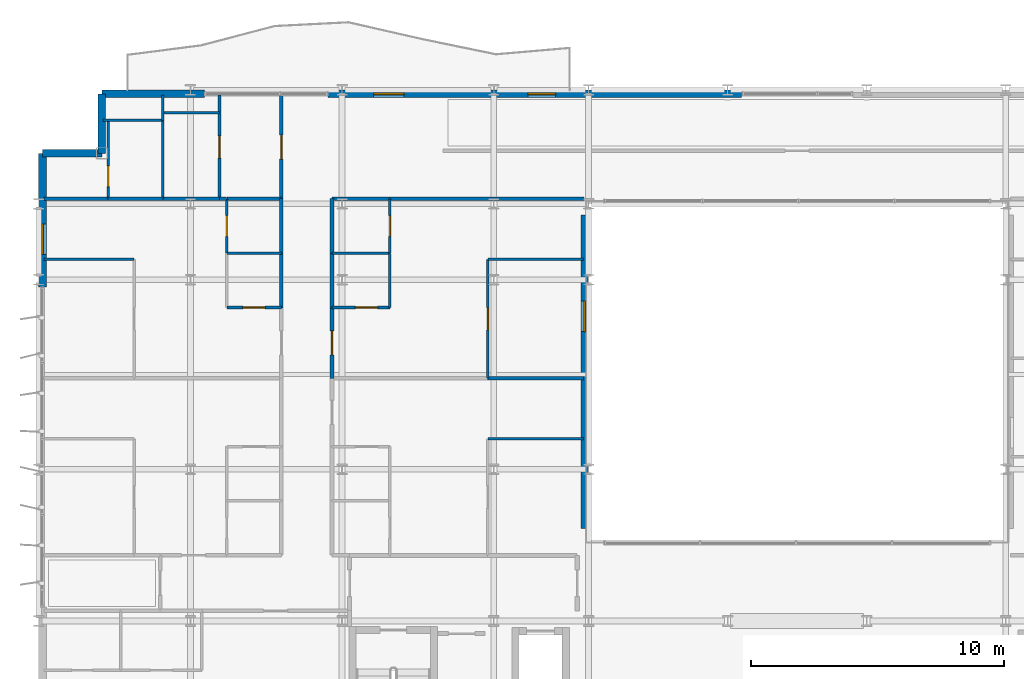
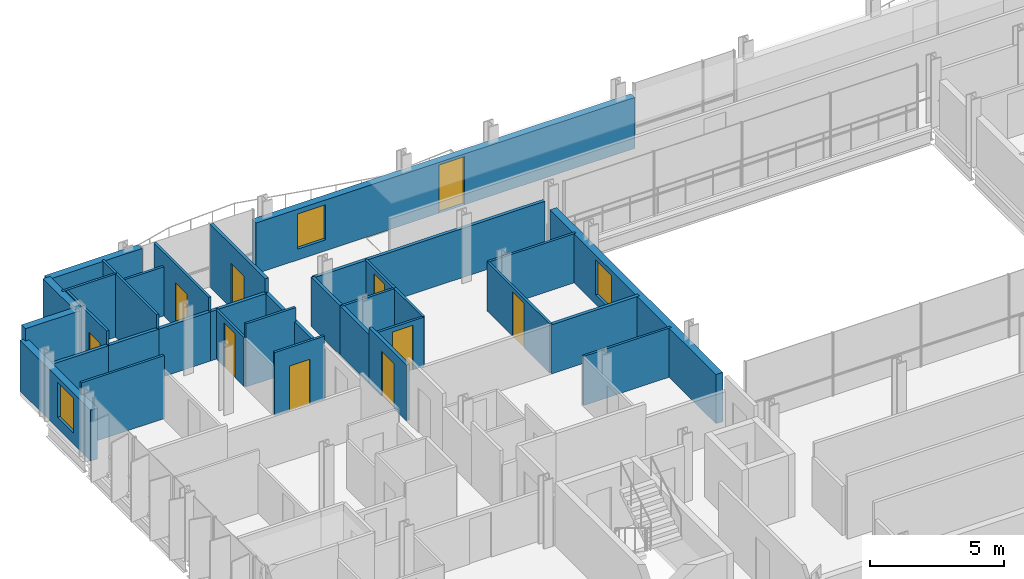
# One storey, part 29 of 39: 37 walls, 10 doors, 3 windows, 13 openings.
"""IFC4 building model written with IfcOpenShell, lengths in metres."""

from ifc_helpers import new_model, si_unit, direction, frame, frame_2d, origin, place, context, subcontext, project, spatial, rectangle, extrude, material, layer, layer_set, type_object, element, fill, save


model = new_model("IFC4")

# Units and contexts
model_context = context("Model", 3, precision=1e-05, world=origin(), true_north=direction((0.0, 1.0)))
body_context = subcontext(model_context, "Body", "Model", "MODEL_VIEW")
ifc_project = project(units=[si_unit("LENGTHUNIT", "METRE"), si_unit("AREAUNIT", "SQUARE_METRE"), si_unit("VOLUMEUNIT", "CUBIC_METRE"), si_unit("PLANEANGLEUNIT", "RADIAN"), si_unit("MASSUNIT", "GRAM", prefix="KILO")], contexts=[model_context])

# Site, building, storey
site_placement = place(None, origin())
site = spatial("IfcSite", under=ifc_project, at=site_placement, CompositionType="ELEMENT")
building_placement = place(site_placement, origin())
building = spatial("IfcBuilding", under=site, at=building_placement, Name="Brevholm Reach", CompositionType="ELEMENT")
storey_placement = place(building_placement, frame((0.0, 0.0, 115.89990234375)))
storey = spatial("IfcBuildingStorey", under=building, at=storey_placement, Name="L34", CompositionType="ELEMENT", Elevation=115.89990234375)

# Walls
ifc_material_1 = material(Name="Concrete C40/50", Category="concrete")
ifc_layer_1 = layer(ifc_material_1, 0.300048828125)
ifc_layer_set_1 = layer_set([ifc_layer_1], Name="Concrete C40/50")
wall_type_1 = type_object("IfcWallType", Name="WAL-EXT-300", PredefinedType="STANDARD", material=ifc_layer_set_1)
for number, where, z_axis, x_axis, name in (
    (1, (2.5, 30.85009765625, 0.0), (0.0, 0.0, 1.0), (0.0, -1.0, 0.0), "L34 Facade Wall WAL-L34-CNW1"),
    (2, (2.5, 28.5, 0.0), (0.0, 0.0, 1.0), (-1.0, 0.0, 0.0), "L34 Facade Wall WAL-L34-CNW2"),
):
    element("IfcWall", number, at=place(storey_placement, frame(where, z_axis=z_axis, x_axis=x_axis)), inside=storey, type_object=wall_type_1, Name=name, PredefinedType="STANDARD", context=body_context, shape_type="SweptSolid", body=[
        extrude(rectangle(XDim=2.35009765625, YDim=0.300048828125, at=frame_2d((1.175048828125, 0.0))), origin(), (0.0, 0.0, 1.0), 2.880126953125),
    ])

# Wall, opening, window
wall_1_placement = place(storey_placement, frame((0.14990234375, 28.5, 0.0), z_axis=(0.0, 0.0, 1.0), x_axis=(0.0, -1.0, 0.0)))
wall_1 = element("IfcWall", 3, at=wall_1_placement, inside=storey, type_object=wall_type_1, Name="L34 Facade Wall WAL-L34-W-N", PredefinedType="STANDARD", context=body_context, shape_type="SweptSolid", body=[
    extrude(rectangle(XDim=5.280029296875, YDim=0.300048828125, at=frame_2d((2.64013671875, 0.0))), origin(), (0.0, 0.0, 1.0), 2.322021484375),
])
opening_1_placement = place(wall_1_placement, frame((2.800048828125, 0.0, 0.501953125)))
opening_1 = element("IfcOpeningElement", 4, at=opening_1_placement, cuts=wall_1, Name="Opening WN-08", PredefinedType="OPENING", context=body_context, shape_type="SweptSolid", body=[
    extrude(rectangle(XDim=1.199951171875, YDim=1.60009765625, at=frame_2d((0.60009765625, 0.800048828125))), frame((0.0, 0.159912109375, 0.0), z_axis=(0.0, -1.0, 0.0), x_axis=(1.0, 0.0, 0.0)), (0.0, 0.0, 1.0), 0.320068359375),
])
ifc_material_2 = material(Name="Dark Anodised Aluminium and Solar-Control IGU Glass", Category="aluminium")
window_type = type_object("IfcWindowType", Name="WIN-RES-1200", PartitioningType="SINGLE_PANEL", PredefinedType="WINDOW", material=ifc_material_2)
window_1_placement = place(opening_1_placement, origin())
window_1 = element("IfcWindow", 5, at=window_1_placement, inside=storey, type_object=window_type, Name="L34 Window WIN-L34-WN-1", OverallHeight=1.60009765625, OverallWidth=1.199951171875, PartitioningType="SINGLE_PANEL", PredefinedType="WINDOW", context=body_context, shape_type="SweptSolid", body=[
    extrude(rectangle(XDim=1.199951171875, YDim=1.60009765625, at=frame_2d((0.60009765625, 0.800048828125))), frame((0.0, 0.030029296875, 0.0), z_axis=(0.0, -1.0, 0.0), x_axis=(1.0, 0.0, 0.0)), (0.0, 0.0, 1.0), 0.06005859375),
])
fill(opening_1, window_1)

# Wall
wall_2_placement = place(storey_placement, frame((2.5, 30.85009765625, 0.0), z_axis=(0.0, 0.0, 1.0), x_axis=(1.0, 0.0, 0.0)))
element("IfcWall", 6, at=wall_2_placement, inside=storey, type_object=wall_type_1, Name="L34 Facade Wall WAL-L34-NP-W0", PredefinedType="STANDARD", context=body_context, shape_type="SweptSolid", body=[
    extrude(rectangle(XDim=4.050048828125, YDim=0.300048828125, at=frame_2d((2.02490234375, 0.0))), origin(), (0.0, 0.0, 1.0), 2.880126953125),
])

# Wall, openings, door, window
wall_3_placement = place(storey_placement, frame((11.449951171875, 30.85009765625, 0.0), z_axis=(0.0, 0.0, 1.0), x_axis=(1.0, 0.0, 0.0)))
wall_3 = element("IfcWall", 7, at=wall_3_placement, inside=storey, type_object=wall_type_1, Name="L34 Facade Wall WAL-L34-NP-WL", PredefinedType="STANDARD", context=body_context, shape_type="SweptSolid", body=[
    extrude(rectangle(XDim=16.35009765625, YDim=0.300048828125, at=frame_2d((8.175048828125, 0.0))), origin(), (0.0, 0.0, 1.0), 2.322021484375),
])
opening_2_placement = place(wall_3_placement, frame((7.89794921875, 0.0, 0.0)))
opening_2 = element("IfcOpeningElement", 8, at=opening_2_placement, cuts=wall_3, Name="Opening BD-01", PredefinedType="OPENING", context=body_context, shape_type="SweptSolid", body=[
    extrude(rectangle(XDim=1.10009765625, YDim=2.199951171875, at=frame_2d((0.550048828125, 1.10009765625))), frame((0.0, 0.159912109375, 0.0), z_axis=(0.0, -1.0, 0.0), x_axis=(1.0, 0.0, 0.0)), (0.0, 0.0, 1.0), 0.320068359375),
])
opening_3_placement = place(wall_3_placement, frame((1.800048828125, 0.0, 0.501953125)))
opening_3 = element("IfcOpeningElement", 9, at=opening_3_placement, cuts=wall_3, Name="Opening WN-08", PredefinedType="OPENING", context=body_context, shape_type="SweptSolid", body=[
    extrude(rectangle(XDim=1.199951171875, YDim=1.60009765625, at=frame_2d((0.60009765625, 0.800048828125))), frame((0.0, 0.159912109375, 0.0), z_axis=(0.0, -1.0, 0.0), x_axis=(1.0, 0.0, 0.0)), (0.0, 0.0, 1.0), 0.320068359375),
])
ifc_material_3 = material(Name="Dark Anodised Aluminium and Triple-Glazed Glass", Category="aluminium")
door_type_1 = type_object("IfcDoorType", Name="DOR-BALC-1100", OperationType="NOTDEFINED", PredefinedType="DOOR", material=ifc_material_3)
door_1_placement = place(opening_2_placement, origin())
door_1 = element("IfcDoor", 10, at=door_1_placement, inside=storey, type_object=door_type_1, Name="L34 Exterior Door DOR-L34-BL-NW", OperationType="SINGLE_SWING_RIGHT", OverallHeight=2.199951171875, OverallWidth=1.10009765625, PredefinedType="DOOR", context=body_context, shape_type="SweptSolid", body=[
    extrude(rectangle(XDim=1.10009765625, YDim=2.199951171875, at=frame_2d((0.550048828125, 1.10009765625))), frame((0.0, 0.02490234375, 0.0), z_axis=(0.0, -1.0, 0.0), x_axis=(1.0, 0.0, 0.0)), (0.0, 0.0, 1.0), 0.050048828125),
])
fill(opening_2, door_1)
window_2_placement = place(opening_3_placement, origin())
window_2 = element("IfcWindow", 11, at=window_2_placement, inside=storey, type_object=window_type, Name="L34 Window WIN-L34-NP-WL1", OverallHeight=1.60009765625, OverallWidth=1.199951171875, PartitioningType="SINGLE_PANEL", PredefinedType="WINDOW", context=body_context, shape_type="SweptSolid", body=[
    extrude(rectangle(XDim=1.199951171875, YDim=1.60009765625, at=frame_2d((0.60009765625, 0.800048828125))), frame((0.0, 0.030029296875, 0.0), z_axis=(0.0, -1.0, 0.0), x_axis=(1.0, 0.0, 0.0)), (0.0, 0.0, 1.0), 0.06005859375),
])
fill(opening_3, window_2)

# Wall, opening, window
wall_4_placement = place(storey_placement, frame((21.60009765625, 26.050048828125, 0.0), z_axis=(0.0, 0.0, 1.0), x_axis=(0.0, -1.0, 0.0)))
wall_4 = element("IfcWall", 12, at=wall_4_placement, inside=storey, type_object=wall_type_1, Name="L34 Facade Wall WAL-L34-AT-W", PredefinedType="STANDARD", context=body_context, shape_type="SweptSolid", body=[
    extrude(rectangle(XDim=12.400146484375, YDim=0.300048828125, at=frame_2d((6.2001953125, 0.0))), origin(), (0.0, 0.0, 1.0), 2.242919921875),
])
opening_4_placement = place(wall_4_placement, frame((3.39990234375, 0.0, 0.423095703125)))
opening_4 = element("IfcOpeningElement", 13, at=opening_4_placement, cuts=wall_4, Name="Opening WN-08", PredefinedType="OPENING", context=body_context, shape_type="SweptSolid", body=[
    extrude(rectangle(XDim=1.199951171875, YDim=1.60009765625, at=frame_2d((0.60009765625, 0.800048828125))), frame((0.0, 0.159912109375, 0.0), z_axis=(0.0, -1.0, 0.0), x_axis=(1.0, 0.0, 0.0)), (0.0, 0.0, 1.0), 0.320068359375),
])
window_3_placement = place(opening_4_placement, origin())
window_3 = element("IfcWindow", 14, at=window_3_placement, inside=storey, type_object=window_type, Name="L34 Window WIN-L34-AT-W1", OverallHeight=1.60009765625, OverallWidth=1.199951171875, PartitioningType="SINGLE_PANEL", PredefinedType="WINDOW", context=body_context, shape_type="SweptSolid", body=[
    extrude(rectangle(XDim=1.199951171875, YDim=1.60009765625, at=frame_2d((0.60009765625, 0.800048828125))), frame((0.0, 0.030029296875, 0.0), z_axis=(0.0, -1.0, 0.0), x_axis=(1.0, 0.0, 0.0)), (0.0, 0.0, 1.0), 0.06005859375),
])
fill(opening_4, window_3)

# Wall
ifc_material_4 = material(Name="Moisture-Resistant Acoustic Gypsum Stud Partition 100 mm", Category="gypsum")
ifc_layer_2 = layer(ifc_material_4, 0.10009765625)
ifc_layer_set_2 = layer_set([ifc_layer_2], Name="Moisture-Resistant Acoustic Gypsum Stud Partition 100 mm")
wall_type_2 = type_object("IfcWallType", Name="WAL-PRT-100", PredefinedType="PARTITIONING", material=ifc_layer_set_2)
wall_5_placement = place(storey_placement, frame((7.43798828125, 24.550048828125, 0.0), z_axis=(0.0, 0.0, 1.0), x_axis=(1.0, 0.0, 0.0)))
element("IfcWall", 15, at=wall_5_placement, inside=storey, type_object=wall_type_2, Name="L34 Internal Partition 095", PredefinedType="PARTITIONING", context=body_context, shape_type="SweptSolid", body=[
    extrude(rectangle(XDim=2.157958984375, YDim=0.10009765625, at=frame_2d((1.0791015625, 0.0))), origin(), (0.0, 0.0, 1.0), 2.880126953125),
])

# Wall, opening, door
wall_6_placement = place(storey_placement, frame((7.43798828125, 24.550048828125, 0.0), z_axis=(0.0, 0.0, 1.0), x_axis=(0.0, 1.0, 0.0)))
wall_6 = element("IfcWall", 16, at=wall_6_placement, inside=storey, type_object=wall_type_2, Name="L34 Internal Partition 096", PredefinedType="PARTITIONING", context=body_context, shape_type="SweptSolid", body=[
    extrude(rectangle(XDim=2.14990234375, YDim=0.10009765625, at=frame_2d((1.074951171875, 0.0))), origin(), (0.0, 0.0, 1.0), 2.242919921875),
])
opening_5_placement = place(wall_6_placement, frame((0.6650390625, 0.0, 0.0)))
opening_5 = element("IfcOpeningElement", 17, at=opening_5_placement, cuts=wall_6, Name="Opening ID-03", PredefinedType="OPENING", context=body_context, shape_type="SweptSolid", body=[
    extrude(rectangle(XDim=0.820068359375, YDim=2.02001953125, at=frame_2d((0.41015625, 1.010009765625))), frame((0.0, 0.06005859375, 0.0), z_axis=(0.0, -1.0, 0.0), x_axis=(1.0, 0.0, 0.0)), (0.0, 0.0, 1.0), 0.1201171875),
])
ifc_material_5 = material(Name="Moisture-Resistant Painted Timber Internal Bathroom Door", Category="wood")
door_type_2 = type_object("IfcDoorType", Name="DOR-BATH-820", OperationType="NOTDEFINED", PredefinedType="DOOR", material=ifc_material_5)
door_2_placement = place(opening_5_placement, origin())
door_2 = element("IfcDoor", 18, at=door_2_placement, inside=storey, type_object=door_type_2, Name="L34 Internal Door 035", OperationType="SINGLE_SWING_LEFT", OverallHeight=2.02001953125, OverallWidth=0.820068359375, PredefinedType="DOOR", context=body_context, shape_type="SweptSolid", body=[
    extrude(rectangle(XDim=0.820068359375, YDim=2.02001953125, at=frame_2d((0.41015625, 1.010009765625))), frame((0.0, 0.02490234375, 0.0), z_axis=(0.0, -1.0, 0.0), x_axis=(1.0, 0.0, 0.0)), (0.0, 0.0, 1.0), 0.050048828125),
])
fill(opening_5, door_2)

wall_7_placement = place(storey_placement, frame((7.43798828125, 22.39990234375, 0.0), z_axis=(0.0, 0.0, 1.0), x_axis=(1.0, 0.0, 0.0)))
wall_7 = element("IfcWall", 19, at=wall_7_placement, inside=storey, type_object=wall_type_2, Name="L34 Internal Partition 098", PredefinedType="PARTITIONING", context=body_context, shape_type="SweptSolid", body=[
    extrude(rectangle(XDim=2.157958984375, YDim=0.10009765625, at=frame_2d((1.0791015625, 0.0))), origin(), (0.0, 0.0, 1.0), 2.880126953125),
])
opening_6_placement = place(wall_7_placement, frame((0.638916015625, 0.0, 0.0)))
opening_6 = element("IfcOpeningElement", 20, at=opening_6_placement, cuts=wall_7, Name="Opening ID-01", PredefinedType="OPENING", context=body_context, shape_type="SweptSolid", body=[
    extrude(rectangle(XDim=0.8798828125, YDim=2.0400390625, at=frame_2d((0.43994140625, 1.02001953125))), frame((0.0, 0.06005859375, 0.0), z_axis=(0.0, -1.0, 0.0), x_axis=(1.0, 0.0, 0.0)), (0.0, 0.0, 1.0), 0.1201171875),
])
ifc_material_6 = material(Name="Lacquered Ash Solid-Core Acoustic Internal Door", Category="timber")
door_type_3 = type_object("IfcDoorType", Name="DOR-INT-880", OperationType="NOTDEFINED", PredefinedType="DOOR", material=ifc_material_6)
door_3_placement = place(opening_6_placement, origin())
door_3 = element("IfcDoor", 21, at=door_3_placement, inside=storey, type_object=door_type_3, Name="L34 Internal Door 036", OperationType="SINGLE_SWING_RIGHT", OverallHeight=2.0400390625, OverallWidth=0.8798828125, PredefinedType="DOOR", context=body_context, shape_type="SweptSolid", body=[
    extrude(rectangle(XDim=0.8798828125, YDim=2.0400390625, at=frame_2d((0.43994140625, 1.02001953125))), frame((0.0, 0.02490234375, 0.0), z_axis=(0.0, -1.0, 0.0), x_axis=(1.0, 0.0, 0.0)), (0.0, 0.0, 1.0), 0.050048828125),
])
fill(opening_6, door_3)

# Walls
wall_8_placement = place(storey_placement, frame((0.199951171875, 24.300048828125, 0.0), z_axis=(0.0, 0.0, 1.0), x_axis=(1.0, 0.0, 0.0)))
element("IfcWall", 22, at=wall_8_placement, inside=storey, type_object=wall_type_2, Name="L34 Internal Partition 101", PredefinedType="PARTITIONING", context=body_context, shape_type="SweptSolid", body=[
    extrude(rectangle(XDim=3.572021484375, YDim=0.10009765625, at=frame_2d((1.7861328125, 0.0))), origin(), (0.0, 0.0, 1.0), 2.880126953125),
])
wall_9_placement = place(storey_placement, frame((17.76904296875, 17.199951171875, 0.0), z_axis=(0.0, 0.0, 1.0), x_axis=(1.0, 0.0, 0.0)))
element("IfcWall", 23, at=wall_9_placement, inside=storey, type_object=wall_type_2, Name="L34 Internal Partition 110", PredefinedType="PARTITIONING", context=body_context, shape_type="SweptSolid", body=[
    extrude(rectangle(XDim=3.781005859375, YDim=0.10009765625, at=frame_2d((1.890625, 0.0))), origin(), (0.0, 0.0, 1.0), 2.242919921875),
])
wall_10_placement = place(storey_placement, frame((11.60400390625, 24.550048828125, 0.0), z_axis=(0.0, 0.0, 1.0), x_axis=(1.0, 0.0, 0.0)))
element("IfcWall", 24, at=wall_10_placement, inside=storey, type_object=wall_type_2, Name="L34 Internal Partition 114", PredefinedType="PARTITIONING", context=body_context, shape_type="SweptSolid", body=[
    extrude(rectangle(XDim=2.284912109375, YDim=0.10009765625, at=frame_2d((1.142578125, 0.0))), origin(), (0.0, 0.0, 1.0), 2.242919921875),
])

# Wall, opening, door
wall_11_placement = place(storey_placement, frame((13.888916015625, 24.550048828125, 0.0), z_axis=(0.0, 0.0, 1.0), x_axis=(0.0, 1.0, 0.0)))
wall_11 = element("IfcWall", 25, at=wall_11_placement, inside=storey, type_object=wall_type_2, Name="L34 Internal Partition 115", PredefinedType="PARTITIONING", context=body_context, shape_type="SweptSolid", body=[
    extrude(rectangle(XDim=2.14599609375, YDim=0.10009765625, at=frame_2d((1.072998046875, 0.0))), origin(), (0.0, 0.0, 1.0), 2.242919921875),
])
opening_7_placement = place(wall_11_placement, frame((0.6630859375, 0.0, 0.0)))
opening_7 = element("IfcOpeningElement", 26, at=opening_7_placement, cuts=wall_11, Name="Opening ID-03", PredefinedType="OPENING", context=body_context, shape_type="SweptSolid", body=[
    extrude(rectangle(XDim=0.820068359375, YDim=2.02001953125, at=frame_2d((0.41015625, 1.010009765625))), frame((0.0, 0.06005859375, 0.0), z_axis=(0.0, -1.0, 0.0), x_axis=(1.0, 0.0, 0.0)), (0.0, 0.0, 1.0), 0.1201171875),
])
door_4_placement = place(opening_7_placement, origin())
door_4 = element("IfcDoor", 27, at=door_4_placement, inside=storey, type_object=door_type_2, Name="L34 Internal Door 041", OperationType="SINGLE_SWING_LEFT", OverallHeight=2.02001953125, OverallWidth=0.820068359375, PredefinedType="DOOR", context=body_context, shape_type="SweptSolid", body=[
    extrude(rectangle(XDim=0.820068359375, YDim=2.02001953125, at=frame_2d((0.41015625, 1.010009765625))), frame((0.0, 0.02490234375, 0.0), z_axis=(0.0, -1.0, 0.0), x_axis=(1.0, 0.0, 0.0)), (0.0, 0.0, 1.0), 0.050048828125),
])
fill(opening_7, door_4)

wall_12_placement = place(storey_placement, frame((11.60400390625, 22.39990234375, 0.0), z_axis=(0.0, 0.0, 1.0), x_axis=(1.0, 0.0, 0.0)))
wall_12 = element("IfcWall", 28, at=wall_12_placement, inside=storey, type_object=wall_type_2, Name="L34 Internal Partition 116", PredefinedType="PARTITIONING", context=body_context, shape_type="SweptSolid", body=[
    extrude(rectangle(XDim=2.284912109375, YDim=0.10009765625, at=frame_2d((1.142578125, 0.0))), origin(), (0.0, 0.0, 1.0), 2.242919921875),
])
opening_8_placement = place(wall_12_placement, frame((0.922607421875, 0.0, 0.0)))
opening_8 = element("IfcOpeningElement", 29, at=opening_8_placement, cuts=wall_12, Name="Opening ID-01", PredefinedType="OPENING", context=body_context, shape_type="SweptSolid", body=[
    extrude(rectangle(XDim=0.8798828125, YDim=2.0400390625, at=frame_2d((0.43994140625, 1.02001953125))), frame((0.0, 0.06005859375, 0.0), z_axis=(0.0, -1.0, 0.0), x_axis=(1.0, 0.0, 0.0)), (0.0, 0.0, 1.0), 0.1201171875),
])
door_5_placement = place(opening_8_placement, origin())
door_5 = element("IfcDoor", 30, at=door_5_placement, inside=storey, type_object=door_type_3, Name="L34 Internal Door 042", OperationType="SINGLE_SWING_RIGHT", OverallHeight=2.0400390625, OverallWidth=0.8798828125, PredefinedType="DOOR", context=body_context, shape_type="SweptSolid", body=[
    extrude(rectangle(XDim=0.8798828125, YDim=2.0400390625, at=frame_2d((0.43994140625, 1.02001953125))), frame((0.0, 0.02490234375, 0.0), z_axis=(0.0, -1.0, 0.0), x_axis=(1.0, 0.0, 0.0)), (0.0, 0.0, 1.0), 0.050048828125),
])
fill(opening_8, door_5)

# Walls
wall_13_placement = place(storey_placement, frame((13.888916015625, 22.39990234375, 0.0), z_axis=(0.0, 0.0, 1.0), x_axis=(0.0, 1.0, 0.0)))
element("IfcWall", 31, at=wall_13_placement, inside=storey, type_object=wall_type_2, Name="L34 Internal Partition 117", PredefinedType="PARTITIONING", context=body_context, shape_type="SweptSolid", body=[
    extrude(rectangle(XDim=2.14599609375, YDim=0.10009765625, at=frame_2d((1.072998046875, 0.0))), origin(), (0.0, 0.0, 1.0), 2.242919921875),
])
wall_14_placement = place(storey_placement, frame((17.76904296875, 24.300048828125, 0.0), z_axis=(0.0, 0.0, 1.0), x_axis=(1.0, 0.0, 0.0)))
element("IfcWall", 32, at=wall_14_placement, inside=storey, type_object=wall_type_2, Name="L34 Internal Partition 118", PredefinedType="PARTITIONING", context=body_context, shape_type="SweptSolid", body=[
    extrude(rectangle(XDim=3.781005859375, YDim=0.10009765625, at=frame_2d((1.890625, 0.0))), origin(), (0.0, 0.0, 1.0), 2.242919921875),
])

# Wall, opening, door
wall_15_placement = place(storey_placement, frame((17.76904296875, 19.60400390625, 0.0), z_axis=(0.0, 0.0, 1.0), x_axis=(0.0, 1.0, 0.0)))
wall_15 = element("IfcWall", 33, at=wall_15_placement, inside=storey, type_object=wall_type_2, Name="L34 Internal Partition 119", PredefinedType="PARTITIONING", context=body_context, shape_type="SweptSolid", body=[
    extrude(rectangle(XDim=4.696044921875, YDim=0.10009765625, at=frame_2d((2.34814453125, 0.0))), origin(), (0.0, 0.0, 1.0), 2.242919921875),
])
opening_9_placement = place(wall_15_placement, frame((1.907958984375, 0.0, 0.0)))
opening_9 = element("IfcOpeningElement", 34, at=opening_9_placement, cuts=wall_15, Name="Opening ID-01", PredefinedType="OPENING", context=body_context, shape_type="SweptSolid", body=[
    extrude(rectangle(XDim=0.8798828125, YDim=2.0400390625, at=frame_2d((0.43994140625, 1.02001953125))), frame((0.0, 0.06005859375, 0.0), z_axis=(0.0, -1.0, 0.0), x_axis=(1.0, 0.0, 0.0)), (0.0, 0.0, 1.0), 0.1201171875),
])
door_6_placement = place(opening_9_placement, origin())
door_6 = element("IfcDoor", 35, at=door_6_placement, inside=storey, type_object=door_type_3, Name="L34 Internal Door 043", OperationType="SINGLE_SWING_LEFT", OverallHeight=2.0400390625, OverallWidth=0.8798828125, PredefinedType="DOOR", context=body_context, shape_type="SweptSolid", body=[
    extrude(rectangle(XDim=0.8798828125, YDim=2.0400390625, at=frame_2d((0.43994140625, 1.02001953125))), frame((0.0, 0.02490234375, 0.0), z_axis=(0.0, -1.0, 0.0), x_axis=(1.0, 0.0, 0.0)), (0.0, 0.0, 1.0), 0.050048828125),
])
fill(opening_9, door_6)

# Walls
wall_16_placement = place(storey_placement, frame((4.89990234375, 26.7041015625, 0.0), z_axis=(0.0, 0.0, 1.0), x_axis=(0.0, 1.0, 0.0)))
element("IfcWall", 36, at=wall_16_placement, inside=storey, type_object=wall_type_2, Name="L34 Internal Partition 151", PredefinedType="PARTITIONING", context=body_context, shape_type="SweptSolid", body=[
    extrude(rectangle(XDim=3.095947265625, YDim=0.10009765625, at=frame_2d((1.5478515625, 0.0))), origin(), (0.0, 0.0, 1.0), 2.880126953125),
])
wall_17_placement = place(storey_placement, frame((2.550048828125, 29.800048828125, 0.0), z_axis=(0.0, 0.0, 1.0), x_axis=(1.0, 0.0, 0.0)))
element("IfcWall", 37, at=wall_17_placement, inside=storey, type_object=wall_type_2, Name="L34 Internal Partition 152", PredefinedType="PARTITIONING", context=body_context, shape_type="SweptSolid", body=[
    extrude(rectangle(XDim=2.349853515625, YDim=0.10009765625, at=frame_2d((1.1748046875, 0.0))), origin(), (0.0, 0.0, 1.0), 2.880126953125),
])

# Wall, opening, door
wall_18_placement = place(storey_placement, frame((2.75, 26.7041015625, 0.0), z_axis=(0.0, 0.0, 1.0), x_axis=(0.0, 1.0, 0.0)))
wall_18 = element("IfcWall", 38, at=wall_18_placement, inside=storey, type_object=wall_type_2, Name="L34 Internal Partition 153", PredefinedType="PARTITIONING", context=body_context, shape_type="SweptSolid", body=[
    extrude(rectangle(XDim=3.095947265625, YDim=0.10009765625, at=frame_2d((1.5478515625, 0.0))), origin(), (0.0, 0.0, 1.0), 2.880126953125),
])
opening_10_placement = place(wall_18_placement, frame((0.47802734375, 0.0, 0.0)))
opening_10 = element("IfcOpeningElement", 39, at=opening_10_placement, cuts=wall_18, Name="Opening ID-03", PredefinedType="OPENING", context=body_context, shape_type="SweptSolid", body=[
    extrude(rectangle(XDim=0.820068359375, YDim=2.02001953125, at=frame_2d((0.41015625, 1.010009765625))), frame((0.0, 0.06005859375, 0.0), z_axis=(0.0, -1.0, 0.0), x_axis=(1.0, 0.0, 0.0)), (0.0, 0.0, 1.0), 0.1201171875),
])
door_7_placement = place(opening_10_placement, origin())
door_7 = element("IfcDoor", 40, at=door_7_placement, inside=storey, type_object=door_type_2, Name="L34 Internal Door 056", OperationType="SINGLE_SWING_RIGHT", OverallHeight=2.02001953125, OverallWidth=0.820068359375, PredefinedType="DOOR", context=body_context, shape_type="SweptSolid", body=[
    extrude(rectangle(XDim=0.820068359375, YDim=2.02001953125, at=frame_2d((0.41015625, 1.010009765625))), frame((0.0, 0.02490234375, 0.0), z_axis=(0.0, -1.0, 0.0), x_axis=(1.0, 0.0, 0.0)), (0.0, 0.0, 1.0), 0.050048828125),
])
fill(opening_10, door_7)

wall_19_placement = place(storey_placement, frame((7.14990234375, 26.7041015625, 0.0), z_axis=(0.0, 0.0, 1.0), x_axis=(0.0, 1.0, 0.0)))
wall_19 = element("IfcWall", 41, at=wall_19_placement, inside=storey, type_object=wall_type_2, Name="L34 Internal Partition 154", PredefinedType="PARTITIONING", context=body_context, shape_type="SweptSolid", body=[
    extrude(rectangle(XDim=4.095947265625, YDim=0.10009765625, at=frame_2d((2.0478515625, 0.0))), origin(), (0.0, 0.0, 1.0), 2.880126953125),
])
opening_11_placement = place(wall_19_placement, frame((1.60791015625, 0.0, 0.0)))
opening_11 = element("IfcOpeningElement", 42, at=opening_11_placement, cuts=wall_19, Name="Opening ID-01", PredefinedType="OPENING", context=body_context, shape_type="SweptSolid", body=[
    extrude(rectangle(XDim=0.8798828125, YDim=2.0400390625, at=frame_2d((0.43994140625, 1.02001953125))), frame((0.0, 0.06005859375, 0.0), z_axis=(0.0, -1.0, 0.0), x_axis=(1.0, 0.0, 0.0)), (0.0, 0.0, 1.0), 0.1201171875),
])
door_8_placement = place(opening_11_placement, origin())
door_8 = element("IfcDoor", 43, at=door_8_placement, inside=storey, type_object=door_type_3, Name="L34 Internal Door 057", OperationType="SINGLE_SWING_LEFT", OverallHeight=2.0400390625, OverallWidth=0.8798828125, PredefinedType="DOOR", context=body_context, shape_type="SweptSolid", body=[
    extrude(rectangle(XDim=0.8798828125, YDim=2.0400390625, at=frame_2d((0.43994140625, 1.02001953125))), frame((0.0, 0.02490234375, 0.0), z_axis=(0.0, -1.0, 0.0), x_axis=(1.0, 0.0, 0.0)), (0.0, 0.0, 1.0), 0.050048828125),
])
fill(opening_11, door_8)

# Walls
wall_20_placement = place(storey_placement, frame((4.89990234375, 30.10009765625, 0.0), z_axis=(0.0, 0.0, 1.0), x_axis=(1.0, 0.0, 0.0)))
element("IfcWall", 44, at=wall_20_placement, inside=storey, type_object=wall_type_2, Name="L34 Internal Partition 155", PredefinedType="PARTITIONING", context=body_context, shape_type="SweptSolid", body=[
    extrude(rectangle(XDim=2.25, YDim=0.10009765625, at=frame_2d((1.125, 0.0))), origin(), (0.0, 0.0, 1.0), 2.242919921875),
])
wall_21_placement = place(storey_placement, frame((4.89990234375, 29.803955078125, 0.0), z_axis=(0.0, 0.0, 1.0), x_axis=(0.0, 1.0, 0.0)))
element("IfcWall", 45, at=wall_21_placement, inside=storey, type_object=wall_type_2, Name="L34 Internal Partition 156", PredefinedType="PARTITIONING", context=body_context, shape_type="SweptSolid", body=[
    extrude(rectangle(XDim=0.99609375, YDim=0.10009765625, at=frame_2d((0.498046875, 0.0))), origin(), (0.0, 0.0, 1.0), 2.880126953125),
])
ifc_material_7 = material(Name="Twin-Stud Acoustic Fire-Rated Gypsum Partition 140 mm", Category="gypsum")
ifc_layer_3 = layer(ifc_material_7, 0.139892578125)
ifc_layer_set_3 = layer_set([ifc_layer_3], Name="Twin-Stud Acoustic Fire-Rated Gypsum Partition 140 mm")
wall_type_3 = type_object("IfcWallType", Name="WAL-PRT-140", PredefinedType="PARTITIONING", material=ifc_layer_set_3)
wall_22_placement = place(storey_placement, frame((9.60009765625, 24.538818359375, 0.0), z_axis=(0.0, 0.0, 1.0), x_axis=(0.0, 1.0, 0.0)))
element("IfcWall", 46, at=wall_22_placement, inside=storey, type_object=wall_type_3, Name="L34 Internal Partition 036", PredefinedType="PARTITIONING", context=body_context, shape_type="SweptSolid", body=[
    extrude(rectangle(XDim=2.17236328125, YDim=0.139892578125, at=frame_2d((1.086181640625, 0.0))), origin(), (0.0, 0.0, 1.0), 2.242919921875),
])
wall_23_placement = place(storey_placement, frame((9.60009765625, 22.388671875, 0.0), z_axis=(0.0, 0.0, 1.0), x_axis=(0.0, 1.0, 0.0)))
element("IfcWall", 47, at=wall_23_placement, inside=storey, type_object=wall_type_3, Name="L34 Internal Partition 037", PredefinedType="PARTITIONING", context=body_context, shape_type="SweptSolid", body=[
    extrude(rectangle(XDim=2.168701171875, YDim=0.139892578125, at=frame_2d((1.08447265625, 0.0))), origin(), (0.0, 0.0, 1.0), 2.242919921875),
])
wall_24_placement = place(storey_placement, frame((11.60009765625, 24.538818359375, 0.0), z_axis=(0.0, 0.0, 1.0), x_axis=(0.0, 1.0, 0.0)))
element("IfcWall", 48, at=wall_24_placement, inside=storey, type_object=wall_type_3, Name="L34 Internal Partition 042", PredefinedType="PARTITIONING", context=body_context, shape_type="SweptSolid", body=[
    extrude(rectangle(XDim=2.16845703125, YDim=0.139892578125, at=frame_2d((1.084228515625, 0.0))), origin(), (0.0, 0.0, 1.0), 2.242919921875),
])
wall_25_placement = place(storey_placement, frame((11.60009765625, 22.388671875, 0.0), z_axis=(0.0, 0.0, 1.0), x_axis=(0.0, 1.0, 0.0)))
element("IfcWall", 49, at=wall_25_placement, inside=storey, type_object=wall_type_3, Name="L34 Internal Partition 043", PredefinedType="PARTITIONING", context=body_context, shape_type="SweptSolid", body=[
    extrude(rectangle(XDim=2.168701171875, YDim=0.139892578125, at=frame_2d((1.08447265625, 0.0))), origin(), (0.0, 0.0, 1.0), 2.242919921875),
])

# Wall, opening, door
wall_26_placement = place(storey_placement, frame((11.60009765625, 19.5927734375, 0.0), z_axis=(0.0, 0.0, 1.0), x_axis=(0.0, 1.0, 0.0)))
wall_26 = element("IfcWall", 50, at=wall_26_placement, inside=storey, type_object=wall_type_3, Name="L34 Internal Partition 044", PredefinedType="PARTITIONING", context=body_context, shape_type="SweptSolid", body=[
    extrude(rectangle(XDim=2.814453125, YDim=0.139892578125, at=frame_2d((1.4072265625, 0.0))), origin(), (0.0, 0.0, 1.0), 2.5517578125),
])
opening_12_placement = place(wall_26_placement, frame((0.932373046875, 0.0, 0.0)))
opening_12 = element("IfcOpeningElement", 51, at=opening_12_placement, cuts=wall_26, Name="Opening ID-30", PredefinedType="OPENING", context=body_context, shape_type="SweptSolid", body=[
    extrude(rectangle(XDim=0.949951171875, YDim=2.050048828125, at=frame_2d((0.47509765625, 1.02490234375))), frame((0.0, 0.079833984375, 0.0), z_axis=(0.0, -1.0, 0.0), x_axis=(1.0, 0.0, 0.0)), (0.0, 0.0, 1.0), 0.159912109375),
])
ifc_material_8 = material(Name="European Oak Veneered Solid-Core Fire Entrance Door", Category="timber")
door_type_4 = type_object("IfcDoorType", Name="DOR-FLT-FD30S", OperationType="NOTDEFINED", PredefinedType="DOOR", material=ifc_material_8)
door_9_placement = place(opening_12_placement, origin())
door_9 = element("IfcDoor", 52, at=door_9_placement, inside=storey, type_object=door_type_4, Name="L34 Internal Door 018", OperationType="SINGLE_SWING_RIGHT", OverallHeight=2.050048828125, OverallWidth=0.949951171875, PredefinedType="DOOR", context=body_context, shape_type="SweptSolid", body=[
    extrude(rectangle(XDim=0.949951171875, YDim=2.050048828125, at=frame_2d((0.47509765625, 1.02490234375))), frame((0.0, 0.02490234375, 0.0), z_axis=(0.0, -1.0, 0.0), x_axis=(1.0, 0.0, 0.0)), (0.0, 0.0, 1.0), 0.050048828125),
])
fill(opening_12, door_9)

wall_27_placement = place(storey_placement, frame((9.60009765625, 26.692626953125, 0.0), z_axis=(0.0, 0.0, 1.0), x_axis=(0.0, 1.0, 0.0)))
wall_27 = element("IfcWall", 53, at=wall_27_placement, inside=storey, type_object=wall_type_3, Name="L34 Internal Partition 045", PredefinedType="PARTITIONING", context=body_context, shape_type="SweptSolid", body=[
    extrude(rectangle(XDim=4.107421875, YDim=0.139892578125, at=frame_2d((2.0537109375, 0.0))), origin(), (0.0, 0.0, 1.0), 2.880126953125),
])
opening_13_placement = place(wall_27_placement, frame((1.57861328125, 0.0, 0.0)))
opening_13 = element("IfcOpeningElement", 54, at=opening_13_placement, cuts=wall_27, Name="Opening ID-30", PredefinedType="OPENING", context=body_context, shape_type="SweptSolid", body=[
    extrude(rectangle(XDim=0.949951171875, YDim=2.050048828125, at=frame_2d((0.47509765625, 1.02490234375))), frame((0.0, 0.079833984375, 0.0), z_axis=(0.0, -1.0, 0.0), x_axis=(1.0, 0.0, 0.0)), (0.0, 0.0, 1.0), 0.159912109375),
])
door_10_placement = place(opening_13_placement, origin())
door_10 = element("IfcDoor", 55, at=door_10_placement, inside=storey, type_object=door_type_4, Name="L34 Internal Door 019", OperationType="SINGLE_SWING_LEFT", OverallHeight=2.050048828125, OverallWidth=0.949951171875, PredefinedType="DOOR", context=body_context, shape_type="SweptSolid", body=[
    extrude(rectangle(XDim=0.949951171875, YDim=2.050048828125, at=frame_2d((0.47509765625, 1.02490234375))), frame((0.0, 0.02490234375, 0.0), z_axis=(0.0, -1.0, 0.0), x_axis=(1.0, 0.0, 0.0)), (0.0, 0.0, 1.0), 0.050048828125),
])
fill(opening_13, door_10)

# Walls
wall_28_placement = place(storey_placement, frame((11.60400390625, 26.699951171875, 0.0), z_axis=(0.0, 0.0, 1.0), x_axis=(1.0, 0.0, 0.0)))
element("IfcWall", 56, at=wall_28_placement, inside=storey, type_object=wall_type_3, Name="L34 Internal Partition 057", PredefinedType="PARTITIONING", context=body_context, shape_type="SweptSolid", body=[
    extrude(rectangle(XDim=2.29638671875, YDim=0.139892578125, at=frame_2d((1.148193359375, 0.0))), origin(), (0.0, 0.0, 1.0), 2.242919921875),
])
wall_29_placement = place(storey_placement, frame((13.881591796875, 26.699951171875, 0.0), z_axis=(0.0, 0.0, 1.0), x_axis=(1.0, 0.0, 0.0)))
element("IfcWall", 57, at=wall_29_placement, inside=storey, type_object=wall_type_3, Name="L34 Internal Partition 058", PredefinedType="PARTITIONING", context=body_context, shape_type="SweptSolid", body=[
    extrude(rectangle(XDim=7.6796875, YDim=0.139892578125, at=frame_2d((3.83984375, 0.0))), origin(), (0.0, 0.0, 1.0), 2.242919921875),
])
wall_30_placement = place(storey_placement, frame((7.43798828125, 26.699951171875, 0.0), z_axis=(0.0, 0.0, 1.0), x_axis=(1.0, 0.0, 0.0)))
element("IfcWall", 58, at=wall_30_placement, inside=storey, type_object=wall_type_3, Name="L34 Internal Partition 097", PredefinedType="PARTITIONING", context=body_context, shape_type="SweptSolid", body=[
    extrude(rectangle(XDim=2.157958984375, YDim=0.139892578125, at=frame_2d((1.0791015625, 0.0))), origin(), (0.0, 0.0, 1.0), 2.242919921875),
])
wall_31_placement = place(storey_placement, frame((2.73876953125, 26.699951171875, 0.0), z_axis=(0.0, 0.0, 1.0), x_axis=(1.0, 0.0, 0.0)))
element("IfcWall", 59, at=wall_31_placement, inside=storey, type_object=wall_type_3, Name="L34 Internal Partition 102", PredefinedType="PARTITIONING", context=body_context, shape_type="SweptSolid", body=[
    extrude(rectangle(XDim=2.172607421875, YDim=0.139892578125, at=frame_2d((1.08642578125, 0.0))), origin(), (0.0, 0.0, 1.0), 2.242919921875),
])
wall_32_placement = place(storey_placement, frame((4.892578125, 26.699951171875, 0.0), z_axis=(0.0, 0.0, 1.0), x_axis=(1.0, 0.0, 0.0)))
element("IfcWall", 60, at=wall_32_placement, inside=storey, type_object=wall_type_3, Name="L34 Internal Partition 103", PredefinedType="PARTITIONING", context=body_context, shape_type="SweptSolid", body=[
    extrude(rectangle(XDim=2.268798828125, YDim=0.139892578125, at=frame_2d((1.13427734375, 0.0))), origin(), (0.0, 0.0, 1.0), 2.242919921875),
])
wall_33_placement = place(storey_placement, frame((7.142578125, 26.699951171875, 0.0), z_axis=(0.0, 0.0, 1.0), x_axis=(1.0, 0.0, 0.0)))
element("IfcWall", 61, at=wall_33_placement, inside=storey, type_object=wall_type_3, Name="L34 Internal Partition 104", PredefinedType="PARTITIONING", context=body_context, shape_type="SweptSolid", body=[
    extrude(rectangle(XDim=0.29150390625, YDim=0.139892578125, at=frame_2d((0.145751953125, 0.0))), origin(), (0.0, 0.0, 1.0), 2.242919921875),
])
wall_34_placement = place(storey_placement, frame((0.199951171875, 26.699951171875, 0.0), z_axis=(0.0, 0.0, 1.0), x_axis=(1.0, 0.0, 0.0)))
element("IfcWall", 62, at=wall_34_placement, inside=storey, type_object=wall_type_3, Name="L34 Internal Partition 105", PredefinedType="PARTITIONING", context=body_context, shape_type="SweptSolid", body=[
    extrude(rectangle(XDim=2.557373046875, YDim=0.139892578125, at=frame_2d((1.27880859375, 0.0))), origin(), (0.0, 0.0, 1.0), 2.242919921875),
])
wall_35_placement = place(storey_placement, frame((17.7578125, 19.60009765625, 0.0), z_axis=(0.0, 0.0, 1.0), x_axis=(1.0, 0.0, 0.0)))
element("IfcWall", 63, at=wall_35_placement, inside=storey, type_object=wall_type_3, Name="L34 Internal Partition 112", PredefinedType="PARTITIONING", context=body_context, shape_type="SweptSolid", body=[
    extrude(rectangle(XDim=3.792236328125, YDim=0.139892578125, at=frame_2d((1.89599609375, 0.0))), origin(), (0.0, 0.0, 1.0), 2.242919921875),
])

save(model, "model.ifc")
